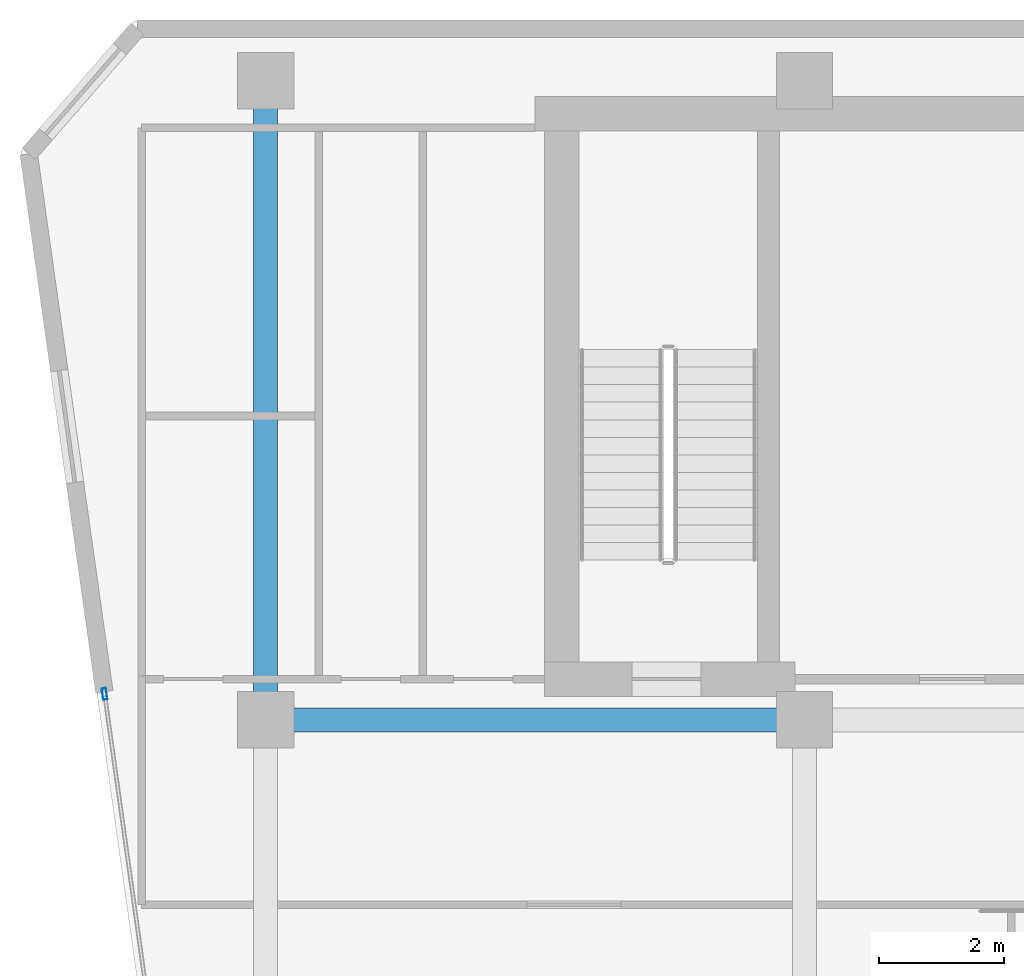
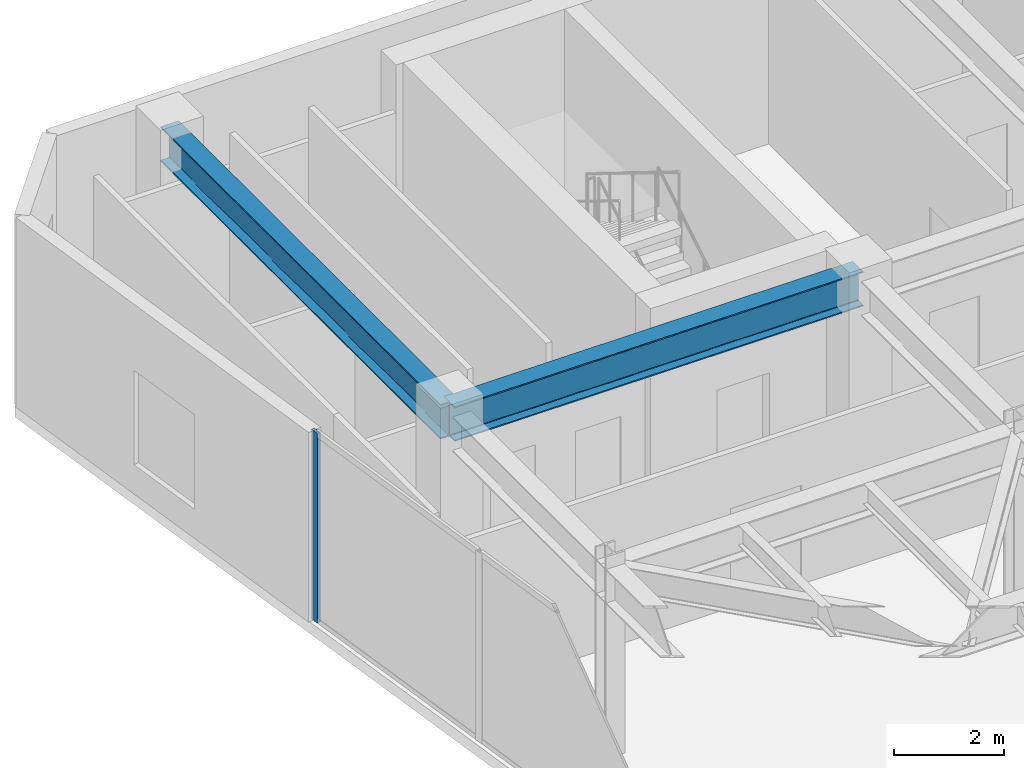
# One storey, part 10 of 25: 2 beams, 1 member, 1 element without a shape of its own.
"""IFC4 building model written with IfcOpenShell, lengths in metres."""

from ifc_helpers import new_model, si_unit, direction, frame, origin, origin_2d, place, context, subcontext, project, spatial, hollow_rectangle, i_section, extrude, material, layer, layer_set, material_profile, profile_set, type_object, element, aggregate, save


model = new_model("IFC4")

# Units and contexts
model_context = context("Model", 3, precision=1e-05, world=origin(), true_north=direction((0.0, 1.0)))
body_context = subcontext(model_context, "Body", "Model", "MODEL_VIEW")
ifc_project = project(units=[si_unit("LENGTHUNIT", "METRE"), si_unit("AREAUNIT", "SQUARE_METRE"), si_unit("VOLUMEUNIT", "CUBIC_METRE"), si_unit("PLANEANGLEUNIT", "RADIAN"), si_unit("MASSUNIT", "GRAM", prefix="KILO")], contexts=[model_context])

# Site, building, storey
site_placement = place(None, origin())
site = spatial("IfcSite", under=ifc_project, at=site_placement, CompositionType="ELEMENT")
building_placement = place(site_placement, origin())
building = spatial("IfcBuilding", under=site, at=building_placement, Name="Kravanh Interchange Tower", CompositionType="ELEMENT")
storey_placement = place(building_placement, frame((0.0, 0.0, 220.5)))
storey = spatial("IfcBuildingStorey", under=building, at=storey_placement, Name="L53", CompositionType="ELEMENT", Elevation=220.5)

# Curtain wall, member
ifc_material_1 = material(Name="Anodised Bronze Aluminium", Category="aluminium")
ifc_layer = layer(ifc_material_1, 0.179931640625)
ifc_layer_set = layer_set([ifc_layer], Name="Unitised Curtain Wall System CW-SKY Sky Observatory")
curtain_wall_type = type_object("IfcCurtainWallType", Name="Unitised Curtain Wall System CW-SKY Sky Observatory", PredefinedType="NOTDEFINED", material=ifc_layer_set)
curtain_wall_placement = place(storey_placement, origin())
curtain_wall = element("IfcCurtainWall", 1, at=curtain_wall_placement, inside=storey, type_object=curtain_wall_type, Name="L53 Unitised Curtain Wall CW-L53-01", PredefinedType="NOTDEFINED")
ifc_material_2 = material(Name="Anodised Bronze Aluminium", Category="aluminium")
ifc_material_profile_1 = material_profile(ifc_material_2, hollow_rectangle(XDim=0.070068359375, YDim=0.179931640625, WallThickness=0.00390625, at=origin_2d()), Name="ALU70X180X4")
ifc_profile_set_1 = profile_set([ifc_material_profile_1], Name="Anodised Bronze Aluminium")
member_type = type_object("IfcMemberType", Name="Curtain Wall Mullion ALU70X180X4 Bronze", PredefinedType="MULLION", material=ifc_profile_set_1)
member_placement = place(storey_placement, frame((16.02978515625, 37.765380859375, 0.0), z_axis=(0.0, 0.0, 1.0), x_axis=(-0.990268194035, -0.139172209446, 0.0)))
member = element("IfcMember", 2, at=member_placement, type_object=member_type, Name="CW-SKY mullion 6", PredefinedType="MULLION", context=body_context, shape_type="SweptSolid", body=[
    extrude(hollow_rectangle(XDim=0.070068359375, YDim=0.179931640625, WallThickness=0.00390625, at=origin_2d()), origin(), (0.0, 0.0, 1.0), 4.219970703125),
])
aggregate(curtain_wall, [member])

# Beams
ifc_material_3 = material(Name="Structural Steel S355", Category="steel")
ifc_material_profile_2 = material_profile(ifc_material_3, i_section(OverallWidth=0.381103515625, OverallDepth=0.77294921875, WebThickness=0.0166015625, FlangeThickness=0.027099609375, FilletRadius=0.02490234375, at=origin_2d()), Name="W30X173")
ifc_profile_set_2 = profile_set([ifc_material_profile_2], Name="Structural Steel S355")
beam_type = type_object("IfcBeamType", Name="Floor Beam W30X173 Structural Steel S355", PredefinedType="BEAM", material=ifc_profile_set_2)
beam_1_placement = place(storey_placement, frame((27.199951171875, 37.35009765625, 3.83349609375), z_axis=(-1.0, 0.0, 0.0), x_axis=(0.0, -1.0, 0.0)))
element("IfcBeam", 3, at=beam_1_placement, inside=storey, type_object=beam_type, Name="L53 Primary Floor Girder 25", PredefinedType="BEAM", context=body_context, shape_type="SweptSolid", body=[
    extrude(i_section(OverallWidth=0.381103515625, OverallDepth=0.77294921875, WebThickness=0.0166015625, FlangeThickness=0.027099609375, FilletRadius=0.02490234375, at=origin_2d()), origin(), (0.0, 0.0, 1.0), 8.599853515625),
])
beam_2_placement = place(storey_placement, frame((18.60009765625, 37.35009765625, 3.83349609375), z_axis=(0.0, 1.0, 0.0), x_axis=(-1.0, 0.0, 0.0)))
element("IfcBeam", 4, at=beam_2_placement, inside=storey, type_object=beam_type, Name="L53 Primary Floor Girder 29", PredefinedType="BEAM", context=body_context, shape_type="SweptSolid", body=[
    extrude(i_section(OverallWidth=0.381103515625, OverallDepth=0.77294921875, WebThickness=0.0166015625, FlangeThickness=0.027099609375, FilletRadius=0.02490234375, at=origin_2d()), origin(), (0.0, 0.0, 1.0), 10.199951171875),
])

save(model, "model.ifc")
